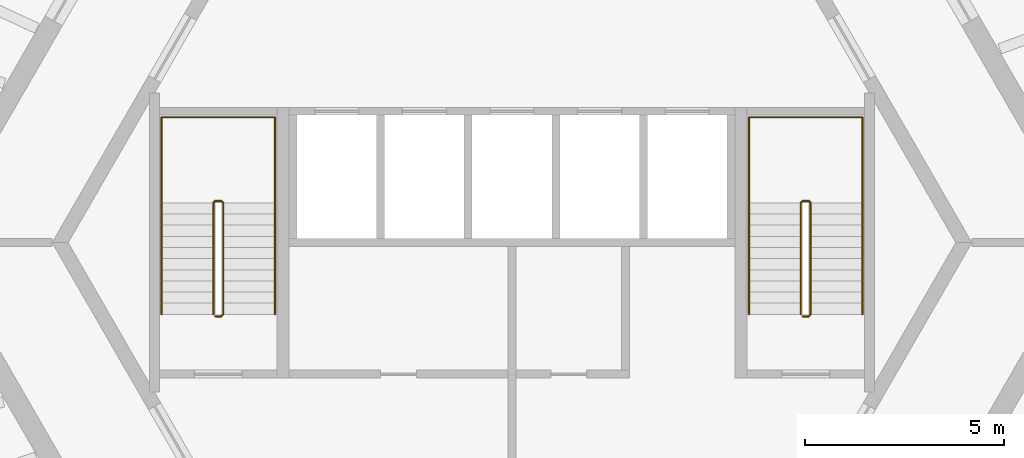
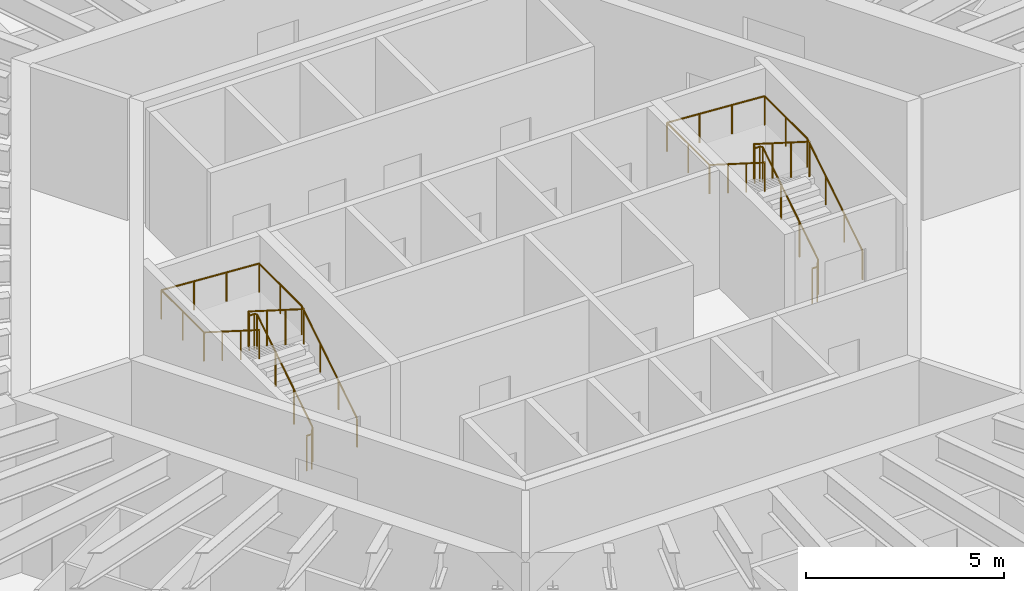
# One storey, part 10 of 10: 4 railings.
"""IFC4 building model written with IfcOpenShell, lengths in metres."""

import ifcopenshell
import ifcopenshell.guid

model = None  # the IFC model being written
_history = None  # IfcOwnerHistory: only IFC2X3 demands one
_inside = {}  # id of a spatial element -> (the spatial element, [elements in it])
_under = {}  # id of a project, library or spatial element -> (it, [spatial elements below it])
_declared = {}  # id of a project -> (the project, [libraries it declares])
_typed = {}  # id of a type object -> (the type object, [elements of that type])
_made_of = {}  # id of a material, layer set ... -> (it, [elements and type objects made of it])


def new_model(schema):
    """Start an empty IFC model of exactly this schema.

    Asked for "IFC4X3", IfcOpenShell would pick the latest addendum, in which some entities
    have other attributes; the version numbers below select the first issue.
    IFC2X3 requires an IfcOwnerHistory on every rooted entity: one is made here for all.
    """
    global model, _history
    if schema == "IFC4X3":
        model = ifcopenshell.file(schema_version=(4, 3, 0, 0))
    else:
        model = ifcopenshell.file(schema=schema)
    _inside.clear()
    _under.clear()
    _declared.clear()
    _typed.clear()
    _made_of.clear()
    _history = None
    if model.schema == "IFC2X3":
        org = make("IfcOrganization", Name="unknown")
        user = make(
            "IfcPersonAndOrganization",
            ThePerson=make("IfcPerson", FamilyName="unknown"),
            TheOrganization=org,
        )
        app = make(
            "IfcApplication",
            ApplicationDeveloper=org,
            Version="unknown",
            ApplicationFullName="unknown",
            ApplicationIdentifier="unknown",
        )
        _history = make(
            "IfcOwnerHistory",
            OwningUser=user,
            OwningApplication=app,
            ChangeAction="ADDED",
            CreationDate=0,
        )
    return model


def make(cls, **values):
    """One entity of the class cls with the attributes given. An attribute that is None is left unset."""
    return model.create_entity(
        cls, **{name: value for name, value in values.items() if value is not None}
    )


def rooted(cls, **values):
    """An entity with a GlobalId (a new one), such as an element, a storey or a relation."""
    return make(cls, GlobalId=ifcopenshell.guid.new(), OwnerHistory=_history, **values)


def si_unit(unit_type, name, prefix=None):
    """IfcSIUnit, for example si_unit("LENGTHUNIT", "METRE", prefix="MILLI")."""
    return make("IfcSIUnit", UnitType=unit_type, Prefix=prefix, Name=name)


def assignment(units):
    """IfcUnitAssignment: the units of a project."""
    return None if units is None else make("IfcUnitAssignment", Units=units)


def point(xyz):
    """IfcCartesianPoint."""
    return None if xyz is None else make("IfcCartesianPoint", Coordinates=xyz)


def direction(xyz):
    """IfcDirection."""
    return None if xyz is None else make("IfcDirection", DirectionRatios=xyz)


def frame(location, z_axis=None, x_axis=None):
    """IfcAxis2Placement3D, a coordinate frame: its origin and axes. An axis left out is left unset."""
    return make(
        "IfcAxis2Placement3D",
        Location=point(location),
        Axis=direction(z_axis),
        RefDirection=direction(x_axis),
    )


def frame_2d(location, x_axis=None):
    """IfcAxis2Placement2D, a coordinate frame in the plane: its origin and x axis."""
    return make(
        "IfcAxis2Placement2D", Location=point(location), RefDirection=direction(x_axis)
    )


def origin():
    """The frame at (0, 0, 0) with its axes left unset."""
    return frame((0.0, 0.0, 0.0))


def origin_2d():
    """The frame at (0, 0) in the plane with its x axis left unset."""
    return frame_2d((0.0, 0.0))


def place(relative_to, where):
    """IfcLocalPlacement: puts the frame where relative to a parent placement (None: the world)."""
    return make(
        "IfcLocalPlacement", PlacementRelTo=relative_to, RelativePlacement=where
    )


def context(
    kind, dimensions, precision=None, world=None, true_north=None, identifier=None
):
    """IfcGeometricRepresentationContext, for example the 3D "Model" context."""
    return make(
        "IfcGeometricRepresentationContext",
        ContextIdentifier=identifier,
        ContextType=kind,
        CoordinateSpaceDimension=dimensions,
        Precision=precision,
        WorldCoordinateSystem=world,
        TrueNorth=true_north,
    )


def subcontext(parent, identifier, kind, view, scale=None):
    """IfcGeometricRepresentationSubContext, for example "Body" below "Model"."""
    return make(
        "IfcGeometricRepresentationSubContext",
        ContextIdentifier=identifier,
        ContextType=kind,
        ParentContext=parent,
        TargetScale=scale,
        TargetView=view,
    )


def project(units=None, contexts=None):
    """IfcProject with its units and contexts."""
    return rooted(
        "IfcProject",
        Name="project",
        RepresentationContexts=contexts,
        UnitsInContext=assignment(units),
    )


def spatial(cls, under=None, at=None, **own):
    """A site, building, storey or space (cls), placed at a placement, below another one or the project."""
    s = rooted(cls, ObjectPlacement=at, **own)
    if under is not None:
        _under.setdefault(under.id(), (under, []))[1].append(s)
    return s


def profile(cls, at=None, kind="AREA", **sizes):
    """A parametric profile (cls). Its sizes go by their IFC names, for example OverallWidth=200.0."""
    return make(cls, ProfileType=kind, Position=at, **sizes)


def circle(**sizes):
    """IfcCircleProfileDef."""
    return profile("IfcCircleProfileDef", **sizes)


def extrude(swept, where, along, depth):
    """IfcExtrudedAreaSolid: the profile swept, set in the frame where, extruded along a direction by depth."""
    return make(
        "IfcExtrudedAreaSolid",
        SweptArea=swept,
        Position=where,
        ExtrudedDirection=direction(along),
        Depth=depth,
    )


def shape(context_of_items, identifier, shape_type, items):
    """IfcShapeRepresentation: the items that make up one representation, for example the "Body"."""
    return make(
        "IfcShapeRepresentation",
        ContextOfItems=context_of_items,
        RepresentationIdentifier=identifier,
        RepresentationType=shape_type,
        Items=items,
    )


def material(Name=None, Category=None):
    """IfcMaterial."""
    return make("IfcMaterial", Name=Name, Category=Category)


def made_of(thing, what):
    """Note that an element or type object is made of a material, layer set ...; save() writes the relation."""
    if what is not None:
        _made_of.setdefault(what.id(), (what, []))[1].append(thing)
    return thing


def type_object(cls, material=None, **own):
    """A type object (cls), such as IfcWallType, which elements share."""
    return made_of(rooted(cls, **own), material)


def element(
    cls,
    number,
    at=None,
    inside=None,
    cuts=None,
    type_object=None,
    material=None,
    context=None,
    identifier="Body",
    shape_type=None,
    held_by="IfcProductDefinitionShape",
    body=None,
    shapes=None,
    **own,
):
    """One element of the class cls, such as IfcWall. Its Tag is "e" and its number.

    at: its placement. inside: the storey or other place that contains it. cuts: it is an
    opening in that element (IfcRelVoidsElement). A single representation is given by context,
    identifier, shape_type and body (its items); several are given by shapes. held_by: the class
    of the entity that holds the representations. save() writes the other relations.
    """
    e = rooted(cls, Tag="e%d" % number, ObjectPlacement=at, **own)
    if body is not None:
        shapes = [shape(context, identifier, shape_type, body)]
    if shapes is not None:
        e.Representation = make(held_by, Representations=shapes)
    if inside is not None:
        _inside.setdefault(inside.id(), (inside, []))[1].append(e)
    if cuts is not None:
        rooted(
            "IfcRelVoidsElement", RelatingBuildingElement=cuts, RelatedOpeningElement=e
        )
    if type_object is not None:
        _typed.setdefault(type_object.id(), (type_object, []))[1].append(e)
    return made_of(e, material)


def aggregate(whole, parts):
    """IfcRelAggregates: a whole, such as a stair, and the parts it consists of."""
    return rooted("IfcRelAggregates", RelatingObject=whole, RelatedObjects=parts)


def save(model, path):
    """Write the relations noted so far, then the file.

    IfcRelAggregates (storeys below a building ...), IfcRelContainedInSpatialStructure (elements
    in a storey), IfcRelDefinesByType, IfcRelAssociatesMaterial and IfcRelDeclares: one each for
    every whole, place, type object, material and project.
    """
    for whole, parts in _under.values():
        aggregate(whole, parts)
    for where, things in _inside.values():
        rooted(
            "IfcRelContainedInSpatialStructure",
            RelatedElements=things,
            RelatingStructure=where,
        )
    for kind, things in _typed.values():
        rooted("IfcRelDefinesByType", RelatedObjects=things, RelatingType=kind)
    for what, things in _made_of.values():
        rooted("IfcRelAssociatesMaterial", RelatedObjects=things, RelatingMaterial=what)
    for by, libraries in _declared.values():
        rooted("IfcRelDeclares", RelatingContext=by, RelatedDefinitions=libraries)
    model.write(path)


model = new_model("IFC4")

# Units and contexts
model_context = context("Model", 3, precision=1e-05, world=origin(), true_north=direction((0.0, 1.0)))
body_context = subcontext(model_context, "Body", "Model", "MODEL_VIEW")
ifc_project = project(units=[si_unit("LENGTHUNIT", "METRE"), si_unit("AREAUNIT", "SQUARE_METRE"), si_unit("VOLUMEUNIT", "CUBIC_METRE"), si_unit("PLANEANGLEUNIT", "RADIAN"), si_unit("MASSUNIT", "GRAM", prefix="KILO")], contexts=[model_context])

# Site, building, storey
site_placement = place(None, origin())
site = spatial("IfcSite", under=ifc_project, at=site_placement, CompositionType="ELEMENT")
building_placement = place(site_placement, origin())
building = spatial("IfcBuilding", under=site, at=building_placement, Name="Tarnside Tower", CompositionType="ELEMENT")
storey_placement = place(building_placement, frame((0.0, 0.0, 230.699951171875)))
storey = spatial("IfcBuildingStorey", under=building, at=storey_placement, Name="L55", CompositionType="ELEMENT", Elevation=230.699951171875)

# Railings
ifc_material = material(Name="Stainless steel", Category="steel")
railing_type_1 = type_object("IfcRailingType", Name="Stair guard 1100", PredefinedType="GUARDRAIL", material=ifc_material)
railing_1_placement = place(storey_placement, frame((7.300048828125, -1.85009765625, 0.0)))
element("IfcRailing", 1, at=railing_1_placement, inside=storey, type_object=railing_type_1, Name="L55 ST1 stair guard 1", PredefinedType="GUARDRAIL", context=body_context, shape_type="SweptSolid", body=[
    extrude(circle(Radius=0.02392578125, at=origin_2d()), frame((0.0, 0.0, 1.076171875), z_axis=(1.0, 0.0, 0.0), x_axis=(0.0, 1.0, 0.0)), (0.0, 0.0, 1.0), 0.14990234375),
    extrude(circle(Radius=0.02392578125, at=origin_2d()), frame((0.14990234375, 0.0, 1.076171875), z_axis=(0.262233686654, 0.262233686654, 0.928691007369), x_axis=(-0.707106781187, 0.707106781187, 0.0)), (0.0, 0.0, 1.0), 0.19091796875),
    extrude(circle(Radius=0.02392578125, at=origin_2d()), frame((0.199951171875, 0.050048828125, 1.25341796875), z_axis=(0.0, 0.844908973607, 0.534910110503), x_axis=(-1.0, 0.0, 0.0)), (0.0, 0.0, 1.0), 3.31396484375),
    extrude(circle(Radius=0.02392578125, at=origin_2d()), frame((0.199951171875, 2.85009765625, 3.02587890625), z_axis=(-0.707106781187, 0.707106781187, 0.0), x_axis=(-0.707106781187, -0.707106781187, 0.0)), (0.0, 0.0, 1.0), 0.07080078125),
    extrude(circle(Radius=0.02392578125, at=origin_2d()), frame((0.14990234375, 2.900146484375, 3.02587890625), z_axis=(-1.0, 0.0, 0.0), x_axis=(0.0, -1.0, 0.0)), (0.0, 0.0, 1.0), 0.14990234375),
    extrude(circle(Radius=0.02392578125, at=origin_2d()), frame((0.0, 2.900146484375, 3.02587890625), z_axis=(-0.261922500866, -0.261922500866, 0.928866625022), x_axis=(0.707106781187, -0.707106781187, 0.0)), (0.0, 0.0, 1.0), 0.191162109375),
    extrude(circle(Radius=0.02392578125, at=origin_2d()), frame((-0.050048828125, 2.85009765625, 3.20361328125), z_axis=(0.0, -0.844908973607, 0.534910110503), x_axis=(1.0, 0.0, 0.0)), (0.0, 0.0, 1.0), 3.31396484375),
    extrude(circle(Radius=0.02099609375, at=origin_2d()), origin(), (0.0, 0.0, 1.0), 1.052001953125),
    extrude(circle(Radius=0.02099609375, at=origin_2d()), frame((0.14990234375, 0.0, 0.0)), (0.0, 0.0, 1.0), 1.052001953125),
    extrude(circle(Radius=0.02099609375, at=origin_2d()), frame((0.199951171875, 0.050048828125, 0.17724609375)), (0.0, 0.0, 1.0), 1.052001953125),
    extrude(circle(Radius=0.02099609375, at=origin_2d()), frame((0.199951171875, 0.9833984375, 0.76806640625)), (0.0, 0.0, 1.0), 1.052001953125),
    extrude(circle(Radius=0.02099609375, at=origin_2d()), frame((0.199951171875, 1.916748046875, 1.359130859375)), (0.0, 0.0, 1.0), 1.052001953125),
    extrude(circle(Radius=0.02099609375, at=origin_2d()), frame((0.199951171875, 2.85009765625, 1.949951171875)), (0.0, 0.0, 1.0), 1.052001953125),
    extrude(circle(Radius=0.02099609375, at=origin_2d()), frame((0.14990234375, 2.900146484375, 1.949951171875)), (0.0, 0.0, 1.0), 1.052001953125),
    extrude(circle(Radius=0.02099609375, at=origin_2d()), frame((0.0, 2.900146484375, 1.949951171875)), (0.0, 0.0, 1.0), 1.052001953125),
    extrude(circle(Radius=0.02099609375, at=origin_2d()), frame((-0.050048828125, 2.85009765625, 2.12744140625)), (0.0, 0.0, 1.0), 1.052001953125),
    extrude(circle(Radius=0.02099609375, at=origin_2d()), frame((-0.050048828125, 1.916748046875, 2.71826171875)), (0.0, 0.0, 1.0), 1.052001953125),
    extrude(circle(Radius=0.02099609375, at=origin_2d()), frame((-0.050048828125, 0.9833984375, 3.309326171875)), (0.0, 0.0, 1.0), 1.052001953125),
    extrude(circle(Radius=0.02099609375, at=origin_2d()), frame((-0.050048828125, 0.050048828125, 3.900146484375)), (0.0, 0.0, 1.0), 1.052001953125),
])
railing_2_placement = place(storey_placement, frame((-7.449951171875, -1.85009765625, 0.0)))
element("IfcRailing", 2, at=railing_2_placement, inside=storey, type_object=railing_type_1, Name="L55 ST2 stair guard 1", PredefinedType="GUARDRAIL", context=body_context, shape_type="SweptSolid", body=[
    extrude(circle(Radius=0.02392578125, at=origin_2d()), frame((0.0, 0.0, 1.076171875), z_axis=(1.0, 0.0, 0.0), x_axis=(0.0, 1.0, 0.0)), (0.0, 0.0, 1.0), 0.14990234375),
    extrude(circle(Radius=0.02392578125, at=origin_2d()), frame((0.14990234375, 0.0, 1.076171875), z_axis=(0.262233686654, 0.262233686654, 0.928691007369), x_axis=(-0.707106781187, 0.707106781187, 0.0)), (0.0, 0.0, 1.0), 0.19091796875),
    extrude(circle(Radius=0.02392578125, at=origin_2d()), frame((0.199951171875, 0.050048828125, 1.25341796875), z_axis=(0.0, 0.844908973607, 0.534910110503), x_axis=(-1.0, 0.0, 0.0)), (0.0, 0.0, 1.0), 3.31396484375),
    extrude(circle(Radius=0.02392578125, at=origin_2d()), frame((0.199951171875, 2.85009765625, 3.02587890625), z_axis=(-0.707106781187, 0.707106781187, 0.0), x_axis=(-0.707106781187, -0.707106781187, 0.0)), (0.0, 0.0, 1.0), 0.07080078125),
    extrude(circle(Radius=0.02392578125, at=origin_2d()), frame((0.14990234375, 2.900146484375, 3.02587890625), z_axis=(-1.0, 0.0, 0.0), x_axis=(0.0, -1.0, 0.0)), (0.0, 0.0, 1.0), 0.14990234375),
    extrude(circle(Radius=0.02392578125, at=origin_2d()), frame((0.0, 2.900146484375, 3.02587890625), z_axis=(-0.261922500866, -0.261922500866, 0.928866625022), x_axis=(0.707106781187, -0.707106781187, 0.0)), (0.0, 0.0, 1.0), 0.191162109375),
    extrude(circle(Radius=0.02392578125, at=origin_2d()), frame((-0.050048828125, 2.85009765625, 3.20361328125), z_axis=(0.0, -0.844908973607, 0.534910110503), x_axis=(1.0, 0.0, 0.0)), (0.0, 0.0, 1.0), 3.31396484375),
    extrude(circle(Radius=0.02099609375, at=origin_2d()), origin(), (0.0, 0.0, 1.0), 1.052001953125),
    extrude(circle(Radius=0.02099609375, at=origin_2d()), frame((0.14990234375, 0.0, 0.0)), (0.0, 0.0, 1.0), 1.052001953125),
    extrude(circle(Radius=0.02099609375, at=origin_2d()), frame((0.199951171875, 0.050048828125, 0.17724609375)), (0.0, 0.0, 1.0), 1.052001953125),
    extrude(circle(Radius=0.02099609375, at=origin_2d()), frame((0.199951171875, 0.9833984375, 0.76806640625)), (0.0, 0.0, 1.0), 1.052001953125),
    extrude(circle(Radius=0.02099609375, at=origin_2d()), frame((0.199951171875, 1.916748046875, 1.359130859375)), (0.0, 0.0, 1.0), 1.052001953125),
    extrude(circle(Radius=0.02099609375, at=origin_2d()), frame((0.199951171875, 2.85009765625, 1.949951171875)), (0.0, 0.0, 1.0), 1.052001953125),
    extrude(circle(Radius=0.02099609375, at=origin_2d()), frame((0.14990234375, 2.900146484375, 1.949951171875)), (0.0, 0.0, 1.0), 1.052001953125),
    extrude(circle(Radius=0.02099609375, at=origin_2d()), frame((0.0, 2.900146484375, 1.949951171875)), (0.0, 0.0, 1.0), 1.052001953125),
    extrude(circle(Radius=0.02099609375, at=origin_2d()), frame((-0.050048828125, 2.85009765625, 2.12744140625)), (0.0, 0.0, 1.0), 1.052001953125),
    extrude(circle(Radius=0.02099609375, at=origin_2d()), frame((-0.050048828125, 1.916748046875, 2.71826171875)), (0.0, 0.0, 1.0), 1.052001953125),
    extrude(circle(Radius=0.02099609375, at=origin_2d()), frame((-0.050048828125, 0.9833984375, 3.309326171875)), (0.0, 0.0, 1.0), 1.052001953125),
    extrude(circle(Radius=0.02099609375, at=origin_2d()), frame((-0.050048828125, 0.050048828125, 3.900146484375)), (0.0, 0.0, 1.0), 1.052001953125),
])
railing_type_2 = type_object("IfcRailingType", Name="Stair handrail 900", PredefinedType="HANDRAIL", material=ifc_material)
railing_3_placement = place(storey_placement, frame((8.800048828125, -1.800048828125, 0.17724609375)))
element("IfcRailing", 3, at=railing_3_placement, inside=storey, type_object=railing_type_2, Name="L55 ST1 stair handrail 1", PredefinedType="HANDRAIL", context=body_context, shape_type="SweptSolid", body=[
    extrude(circle(Radius=0.02392578125, at=origin_2d()), frame((0.0, 0.0, 0.8857421875), z_axis=(0.0, 0.844908973607, 0.534910110503), x_axis=(-1.0, 0.0, 0.0)), (0.0, 0.0, 1.0), 3.31396484375),
    extrude(circle(Radius=0.02392578125, at=origin_2d()), frame((0.0, 2.800048828125, 2.65869140625), z_axis=(0.0, 1.0, 0.0), x_axis=(-1.0, 0.0, 0.0)), (0.0, 0.0, 1.0), 2.14990234375),
    extrude(circle(Radius=0.02392578125, at=origin_2d()), frame((0.0, 4.949951171875, 2.65869140625), z_axis=(-0.998066525363, 0.0, 0.062154733933), x_axis=(0.0, -1.0, 0.0)), (0.0, 0.0, 1.0), 2.855712890625),
    extrude(circle(Radius=0.02392578125, at=origin_2d()), frame((-2.85009765625, 4.949951171875, 2.8359375), z_axis=(0.0, -1.0, 0.0), x_axis=(1.0, 0.0, 0.0)), (0.0, 0.0, 1.0), 2.14990234375),
    extrude(circle(Radius=0.02392578125, at=origin_2d()), frame((-2.85009765625, 2.800048828125, 2.8359375), z_axis=(0.0, -0.844908973607, 0.534910110503), x_axis=(1.0, 0.0, 0.0)), (0.0, 0.0, 1.0), 3.31396484375),
    extrude(circle(Radius=0.02099609375, at=origin_2d()), origin(), (0.0, 0.0, 1.0), 0.86181640625),
    extrude(circle(Radius=0.02099609375, at=origin_2d()), frame((0.0, 0.933349609375, 0.5908203125)), (0.0, 0.0, 1.0), 0.86181640625),
    extrude(circle(Radius=0.02099609375, at=origin_2d()), frame((0.0, 1.86669921875, 1.181884765625)), (0.0, 0.0, 1.0), 0.86181640625),
    extrude(circle(Radius=0.02099609375, at=origin_2d()), frame((0.0, 2.800048828125, 1.772705078125)), (0.0, 0.0, 1.0), 0.86181640625),
    extrude(circle(Radius=0.02099609375, at=origin_2d()), frame((0.0, 3.875, 1.772705078125)), (0.0, 0.0, 1.0), 0.86181640625),
    extrude(circle(Radius=0.02099609375, at=origin_2d()), frame((0.0, 4.949951171875, 1.772705078125)), (0.0, 0.0, 1.0), 0.86181640625),
    extrude(circle(Radius=0.02099609375, at=origin_2d()), frame((-0.949951171875, 4.949951171875, 1.831787109375)), (0.0, 0.0, 1.0), 0.86181640625),
    extrude(circle(Radius=0.02099609375, at=origin_2d()), frame((-1.900146484375, 4.949951171875, 1.89111328125)), (0.0, 0.0, 1.0), 0.86181640625),
    extrude(circle(Radius=0.02099609375, at=origin_2d()), frame((-2.85009765625, 4.949951171875, 1.9501953125)), (0.0, 0.0, 1.0), 0.86181640625),
    extrude(circle(Radius=0.02099609375, at=origin_2d()), frame((-2.85009765625, 3.875, 1.9501953125)), (0.0, 0.0, 1.0), 0.86181640625),
    extrude(circle(Radius=0.02099609375, at=origin_2d()), frame((-2.85009765625, 2.800048828125, 1.9501953125)), (0.0, 0.0, 1.0), 0.86181640625),
    extrude(circle(Radius=0.02099609375, at=origin_2d()), frame((-2.85009765625, 1.86669921875, 2.541015625)), (0.0, 0.0, 1.0), 0.86181640625),
    extrude(circle(Radius=0.02099609375, at=origin_2d()), frame((-2.85009765625, 0.933349609375, 3.132080078125)), (0.0, 0.0, 1.0), 0.86181640625),
    extrude(circle(Radius=0.02099609375, at=origin_2d()), frame((-2.85009765625, 0.0, 3.722900390625)), (0.0, 0.0, 1.0), 0.86181640625),
])
railing_4_placement = place(storey_placement, frame((-5.949951171875, -1.800048828125, 0.17724609375)))
element("IfcRailing", 4, at=railing_4_placement, inside=storey, type_object=railing_type_2, Name="L55 ST2 stair handrail 1", PredefinedType="HANDRAIL", context=body_context, shape_type="SweptSolid", body=[
    extrude(circle(Radius=0.02392578125, at=origin_2d()), frame((0.0, 0.0, 0.8857421875), z_axis=(0.0, 0.844908973607, 0.534910110503), x_axis=(-1.0, 0.0, 0.0)), (0.0, 0.0, 1.0), 3.31396484375),
    extrude(circle(Radius=0.02392578125, at=origin_2d()), frame((0.0, 2.800048828125, 2.65869140625), z_axis=(0.0, 1.0, 0.0), x_axis=(-1.0, 0.0, 0.0)), (0.0, 0.0, 1.0), 2.14990234375),
    extrude(circle(Radius=0.02392578125, at=origin_2d()), frame((0.0, 4.949951171875, 2.65869140625), z_axis=(-0.998066525363, 0.0, 0.062154733933), x_axis=(0.0, -1.0, 0.0)), (0.0, 0.0, 1.0), 2.855712890625),
    extrude(circle(Radius=0.02392578125, at=origin_2d()), frame((-2.85009765625, 4.949951171875, 2.8359375), z_axis=(0.0, -1.0, 0.0), x_axis=(1.0, 0.0, 0.0)), (0.0, 0.0, 1.0), 2.14990234375),
    extrude(circle(Radius=0.02392578125, at=origin_2d()), frame((-2.85009765625, 2.800048828125, 2.8359375), z_axis=(0.0, -0.844908973607, 0.534910110503), x_axis=(1.0, 0.0, 0.0)), (0.0, 0.0, 1.0), 3.31396484375),
    extrude(circle(Radius=0.02099609375, at=origin_2d()), origin(), (0.0, 0.0, 1.0), 0.86181640625),
    extrude(circle(Radius=0.02099609375, at=origin_2d()), frame((0.0, 0.933349609375, 0.5908203125)), (0.0, 0.0, 1.0), 0.86181640625),
    extrude(circle(Radius=0.02099609375, at=origin_2d()), frame((0.0, 1.86669921875, 1.181884765625)), (0.0, 0.0, 1.0), 0.86181640625),
    extrude(circle(Radius=0.02099609375, at=origin_2d()), frame((0.0, 2.800048828125, 1.772705078125)), (0.0, 0.0, 1.0), 0.86181640625),
    extrude(circle(Radius=0.02099609375, at=origin_2d()), frame((0.0, 3.875, 1.772705078125)), (0.0, 0.0, 1.0), 0.86181640625),
    extrude(circle(Radius=0.02099609375, at=origin_2d()), frame((0.0, 4.949951171875, 1.772705078125)), (0.0, 0.0, 1.0), 0.86181640625),
    extrude(circle(Radius=0.02099609375, at=origin_2d()), frame((-0.949951171875, 4.949951171875, 1.831787109375)), (0.0, 0.0, 1.0), 0.86181640625),
    extrude(circle(Radius=0.02099609375, at=origin_2d()), frame((-1.900146484375, 4.949951171875, 1.89111328125)), (0.0, 0.0, 1.0), 0.86181640625),
    extrude(circle(Radius=0.02099609375, at=origin_2d()), frame((-2.85009765625, 4.949951171875, 1.9501953125)), (0.0, 0.0, 1.0), 0.86181640625),
    extrude(circle(Radius=0.02099609375, at=origin_2d()), frame((-2.85009765625, 3.875, 1.9501953125)), (0.0, 0.0, 1.0), 0.86181640625),
    extrude(circle(Radius=0.02099609375, at=origin_2d()), frame((-2.85009765625, 2.800048828125, 1.9501953125)), (0.0, 0.0, 1.0), 0.86181640625),
    extrude(circle(Radius=0.02099609375, at=origin_2d()), frame((-2.85009765625, 1.86669921875, 2.541015625)), (0.0, 0.0, 1.0), 0.86181640625),
    extrude(circle(Radius=0.02099609375, at=origin_2d()), frame((-2.85009765625, 0.933349609375, 3.132080078125)), (0.0, 0.0, 1.0), 0.86181640625),
    extrude(circle(Radius=0.02099609375, at=origin_2d()), frame((-2.85009765625, 0.0, 3.722900390625)), (0.0, 0.0, 1.0), 0.86181640625),
])

save(model, "model.ifc")
